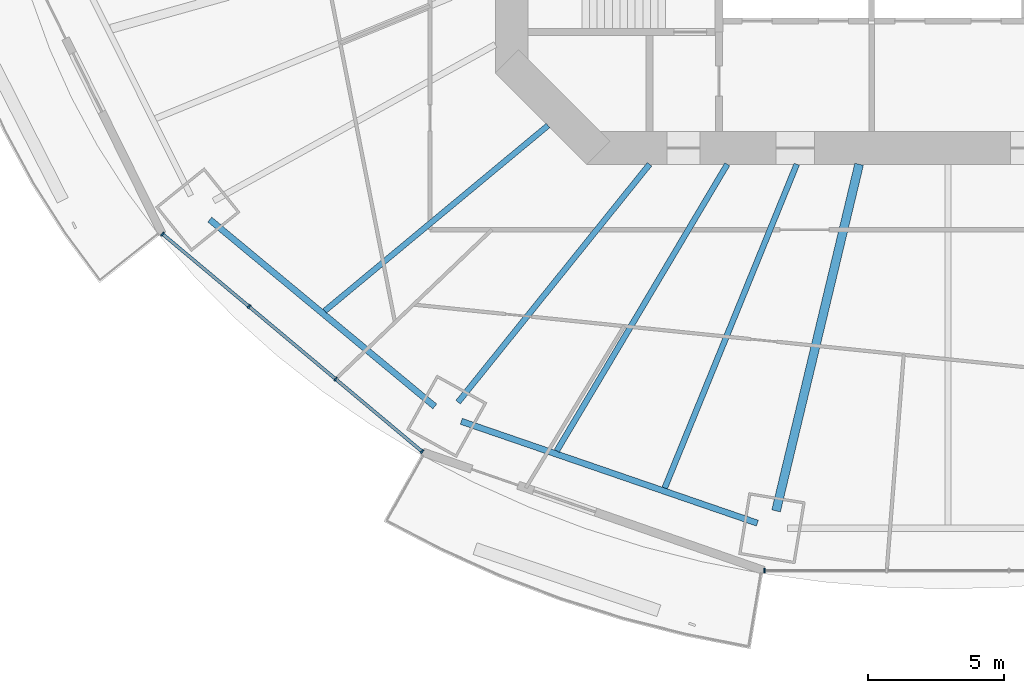
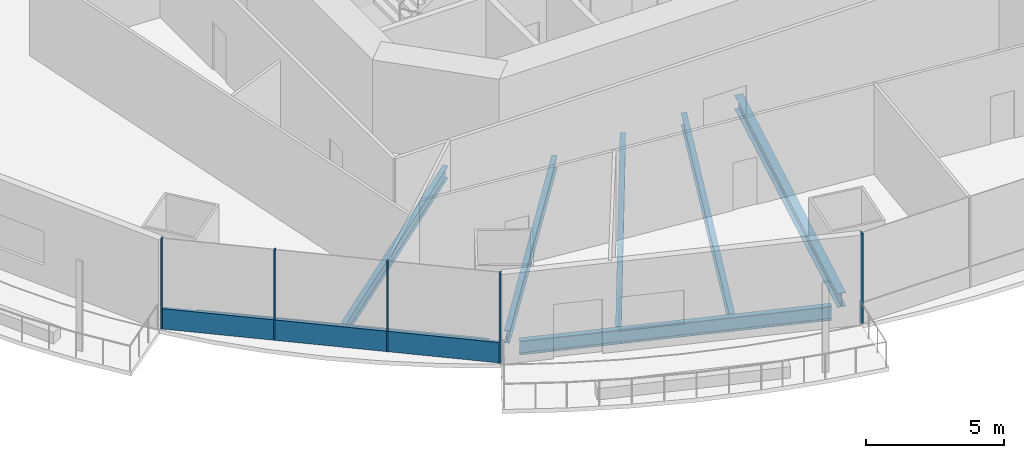
# One storey, part 2 of 22: 7 beams, 6 members, 2 elements without a shape of their own.
"""IFC4 building model written with IfcOpenShell, lengths in metres."""

from ifc_helpers import new_model, si_unit, direction, frame, origin, origin_2d, place, context, subcontext, project, spatial, rectangle, i_section, extrude, material, material_profile, profile_set, type_object, element, aggregate, save


model = new_model("IFC4")

# Units and contexts
model_context = context("Model", 3, precision=1e-05, world=origin(), true_north=direction((0.0, 1.0)))
body_context = subcontext(model_context, "Body", "Model", "MODEL_VIEW")
ifc_project = project(units=[si_unit("LENGTHUNIT", "METRE"), si_unit("AREAUNIT", "SQUARE_METRE"), si_unit("VOLUMEUNIT", "CUBIC_METRE"), si_unit("PLANEANGLEUNIT", "RADIAN"), si_unit("MASSUNIT", "GRAM", prefix="KILO")], contexts=[model_context])

# Site, building, storey
site_placement = place(None, origin())
site = spatial("IfcSite", under=ifc_project, at=site_placement, CompositionType="ELEMENT")
building_placement = place(site_placement, origin())
building = spatial("IfcBuilding", under=site, at=building_placement, Name="Marenthal Gate Tower", CompositionType="ELEMENT")
storey_placement = place(building_placement, frame((0.0, 0.0, 95.25)))
storey = spatial("IfcBuildingStorey", under=building, at=storey_placement, Name="L19", CompositionType="ELEMENT", Elevation=95.25)

# Curtain wall, members
ifc_material_1 = material(Name="Aluminium and glass", Category="aluminium")
curtain_wall_type = type_object("IfcCurtainWallType", Name="Curtain wall typical low", PredefinedType="NOTDEFINED", material=ifc_material_1)
curtain_wall_1_placement = place(storey_placement, origin())
curtain_wall_1 = element("IfcCurtainWall", 1, at=curtain_wall_1_placement, inside=storey, type_object=curtain_wall_type, Name="Curtain wall L19 bay 10", PredefinedType="NOTDEFINED")
ifc_material_2 = material(Name="Aluminium", Category="aluminium")
ifc_material_profile_1 = material_profile(ifc_material_2, rectangle(XDim=0.159912109375, YDim=0.06005859375, at=origin_2d()), Name="60x160 aluminium mullion")
ifc_profile_set_1 = profile_set([ifc_material_profile_1], Name="Aluminium")
member_type_1 = type_object("IfcMemberType", Name="Mullion 60x160 typical low", PredefinedType="MULLION", material=ifc_profile_set_1)
member_1_placement = place(storey_placement, frame((-28.802490234375, -16.16015625, 0.0), z_axis=(0.0, 0.0, 1.0), x_axis=(0.642307658805, 0.766446913648, 0.0)))
member_1 = element("IfcMember", 2, at=member_1_placement, type_object=member_type_1, Name="Mullion L19 bay 10.1", PredefinedType="MULLION", context=body_context, shape_type="SweptSolid", body=[
    extrude(rectangle(XDim=0.159912109375, YDim=0.06005859375, at=origin_2d()), origin(), (0.0, 0.0, 1.0), 3.969970703125),
])
member_2_placement = place(storey_placement, frame((-25.62939453125, -18.8193359375, 0.0), z_axis=(0.0, 0.0, 1.0), x_axis=(0.642307658805, 0.766446913648, 0.0)))
member_2 = element("IfcMember", 3, at=member_2_placement, type_object=member_type_1, Name="Mullion L19 bay 10.2", PredefinedType="MULLION", context=body_context, shape_type="SweptSolid", body=[
    extrude(rectangle(XDim=0.159912109375, YDim=0.06005859375, at=origin_2d()), origin(), (0.0, 0.0, 1.0), 3.969970703125),
])
member_3_placement = place(storey_placement, frame((-22.45654296875, -21.478271484375, 0.0), z_axis=(0.0, 0.0, 1.0), x_axis=(0.642307658805, 0.766446913648, 0.0)))
member_3 = element("IfcMember", 4, at=member_3_placement, type_object=member_type_1, Name="Mullion L19 bay 10.3", PredefinedType="MULLION", context=body_context, shape_type="SweptSolid", body=[
    extrude(rectangle(XDim=0.159912109375, YDim=0.06005859375, at=origin_2d()), origin(), (0.0, 0.0, 1.0), 3.969970703125),
])
member_4_placement = place(storey_placement, frame((-19.283447265625, -24.137451171875, 0.0), z_axis=(0.0, 0.0, 1.0), x_axis=(0.642307658805, 0.766446913648, 0.0)))
member_4 = element("IfcMember", 5, at=member_4_placement, type_object=member_type_1, Name="Mullion L19 bay 10.4", PredefinedType="MULLION", context=body_context, shape_type="SweptSolid", body=[
    extrude(rectangle(XDim=0.159912109375, YDim=0.06005859375, at=origin_2d()), origin(), (0.0, 0.0, 1.0), 3.969970703125),
])

# Curtain wall, member
curtain_wall_2_placement = place(storey_placement, origin())
curtain_wall_2 = element("IfcCurtainWall", 6, at=curtain_wall_2_placement, inside=storey, type_object=curtain_wall_type, Name="Curtain wall L19 bay 12", PredefinedType="NOTDEFINED")
member_5_placement = place(storey_placement, frame((-6.7333984375, -28.494873046875, 0.0), z_axis=(0.0, 0.0, 1.0), x_axis=(0.0, 1.0, 0.0)))
member_5 = element("IfcMember", 7, at=member_5_placement, type_object=member_type_1, Name="Mullion L19 bay 12.1", PredefinedType="MULLION", context=body_context, shape_type="SweptSolid", body=[
    extrude(rectangle(XDim=0.159912109375, YDim=0.06005859375, at=origin_2d()), origin(), (0.0, 0.0, 1.0), 3.969970703125),
])
aggregate(curtain_wall_2, [member_5])

# Member
ifc_material_3 = material(Name="Aluminium", Category="aluminium")
ifc_material_profile_2 = material_profile(ifc_material_3, rectangle(XDim=0.1201171875, YDim=0.89990234375, at=origin_2d()), Name="120x900 aluminium transom")
ifc_profile_set_2 = profile_set([ifc_material_profile_2], Name="Aluminium")
member_type_2 = type_object("IfcMemberType", Name="Transom 120x900 typical low", PredefinedType="USERDEFINED", material=ifc_profile_set_2)
member_6_placement = place(storey_placement, frame((-28.779296875, -16.179443359375, 0.449951171875), z_axis=(0.766442158037, -0.642313333494, 0.0), x_axis=(0.642313333494, 0.766442158037, 0.0)))
member_6 = element("IfcMember", 8, at=member_6_placement, type_object=member_type_2, Name="Transom L19 bay 10", ObjectType="TRANSOM", PredefinedType="USERDEFINED", context=body_context, shape_type="SweptSolid", body=[
    extrude(rectangle(XDim=0.1201171875, YDim=0.89990234375, at=origin_2d()), origin(), (0.0, 0.0, 1.0), 12.359619140625),
])

aggregate(curtain_wall_1, [member_1, member_2, member_3, member_4, member_6])

# Beams
ifc_material_4 = material(Name="Steel S355", Category="steel")
ifc_material_profile_3 = material_profile(ifc_material_4, i_section(OverallWidth=0.2099609375, OverallDepth=0.535888671875, WebThickness=0.010986328125, FlangeThickness=0.017333984375, FilletRadius=0.0126953125, at=origin_2d()), Name="W530X101")
ifc_profile_set_3 = profile_set([ifc_material_profile_3], Name="Steel S355")
beam_type_1 = type_object("IfcBeamType", Name="W530X101 beam", PredefinedType="BEAM", material=ifc_profile_set_3)
beam_1_placement = place(storey_placement, frame((-22.857666015625, -18.978759765625, -0.447998046875), z_axis=(0.769368830907, 0.63880482311, 0.0), x_axis=(-0.63880482311, 0.769368830907, 0.0)))
element("IfcBeam", 9, at=beam_1_placement, inside=storey, type_object=beam_type_1, Name="BM-L19-31", PredefinedType="BEAM", context=body_context, shape_type="SweptSolid", body=[
    extrude(i_section(OverallWidth=0.2099609375, OverallDepth=0.535888671875, WebThickness=0.010986328125, FlangeThickness=0.017333984375, FilletRadius=0.0126953125, at=origin_2d()), origin(), (0.0, 0.0, 1.0), 10.643310546875),
])
ifc_material_5 = material(Name="Steel S355", Category="steel")
ifc_material_profile_4 = material_profile(ifc_material_5, i_section(OverallWidth=0.2119140625, OverallDepth=0.5439453125, WebThickness=0.01318359375, FlangeThickness=0.021240234375, FilletRadius=0.0126953125, at=origin_2d()), Name="W530X123")
ifc_profile_set_4 = profile_set([ifc_material_profile_4], Name="Steel S355")
beam_type_2 = type_object("IfcBeamType", Name="W530X123 beam", PredefinedType="BEAM", material=ifc_profile_set_4)
beam_2_placement = place(storey_placement, frame((-17.964599609375, -22.3232421875, -0.451904296875), z_axis=(0.626952602909, 0.779057400777, 0.0), x_axis=(-0.779057400777, 0.626952602909, 0.0)))
element("IfcBeam", 10, at=beam_2_placement, inside=storey, type_object=beam_type_2, Name="BM-L19-11", PredefinedType="BEAM", context=body_context, shape_type="SweptSolid", body=[
    extrude(i_section(OverallWidth=0.2119140625, OverallDepth=0.5439453125, WebThickness=0.01318359375, FlangeThickness=0.021240234375, FilletRadius=0.0126953125, at=origin_2d()), origin(), (0.0, 0.0, 1.0), 11.197021484375),
])
beam_3_placement = place(storey_placement, frame((-14.346923828125, -24.10986328125, -0.451904296875), z_axis=(0.511368740727, 0.859361397206, 0.0), x_axis=(-0.859361397206, 0.511368740727, 0.0)))
element("IfcBeam", 11, at=beam_3_placement, inside=storey, type_object=beam_type_2, Name="BM-L19-32", PredefinedType="BEAM", context=body_context, shape_type="SweptSolid", body=[
    extrude(i_section(OverallWidth=0.2119140625, OverallDepth=0.5439453125, WebThickness=0.01318359375, FlangeThickness=0.021240234375, FilletRadius=0.0126953125, at=origin_2d()), origin(), (0.0, 0.0, 1.0), 12.229736328125),
])
beam_4_placement = place(storey_placement, frame((-10.3876953125, -25.4716796875, -0.451904296875), z_axis=(0.377613822907, 0.925963174618, 0.0), x_axis=(-0.925963174618, 0.377613822907, 0.0)))
element("IfcBeam", 12, at=beam_4_placement, inside=storey, type_object=beam_type_2, Name="BM-L19-33", PredefinedType="BEAM", context=body_context, shape_type="SweptSolid", body=[
    extrude(i_section(OverallWidth=0.2119140625, OverallDepth=0.5439453125, WebThickness=0.01318359375, FlangeThickness=0.021240234375, FilletRadius=0.0126953125, at=origin_2d()), origin(), (0.0, 0.0, 1.0), 12.82080078125),
])
ifc_material_6 = material(Name="Steel S355", Category="steel")
ifc_material_profile_5 = material_profile(ifc_material_6, i_section(OverallWidth=0.22900390625, OverallDepth=0.612060546875, WebThickness=0.011962890625, FlangeThickness=0.01953125, FilletRadius=0.0126953125, at=origin_2d()), Name="W610X125")
ifc_profile_set_5 = profile_set([ifc_material_profile_5], Name="Steel S355")
beam_type_3 = type_object("IfcBeamType", Name="W610X125 beam", PredefinedType="BEAM", material=ifc_profile_set_5)
beam_5_placement = place(storey_placement, frame((-27.072021484375, -15.628173828125, -0.486083984375), z_axis=(0.769369356562, -0.638804190017, 0.0), x_axis=(0.638804190017, 0.769369356562, 0.0)))
element("IfcBeam", 13, at=beam_5_placement, inside=storey, type_object=beam_type_3, Name="BM-L19-50", PredefinedType="BEAM", context=body_context, shape_type="SweptSolid", body=[
    extrude(i_section(OverallWidth=0.22900390625, OverallDepth=0.612060546875, WebThickness=0.011962890625, FlangeThickness=0.01953125, FilletRadius=0.0126953125, at=origin_2d()), origin(), (0.0, 0.0, 1.0), 10.7255859375),
])
beam_6_placement = place(storey_placement, frame((-17.84716796875, -23.027099609375, -0.486083984375), z_axis=(0.945633885285, -0.325233077963, 0.0), x_axis=(0.325233077963, 0.945633885285, 0.0)))
element("IfcBeam", 14, at=beam_6_placement, inside=storey, type_object=beam_type_3, Name="BM-L19-51", PredefinedType="BEAM", context=body_context, shape_type="SweptSolid", body=[
    extrude(i_section(OverallWidth=0.22900390625, OverallDepth=0.612060546875, WebThickness=0.011962890625, FlangeThickness=0.01953125, FilletRadius=0.0126953125, at=origin_2d()), origin(), (0.0, 0.0, 1.0), 11.482177734375),
])
ifc_material_7 = material(Name="Steel S355", Category="steel")
ifc_material_profile_6 = material_profile(ifc_material_7, i_section(OverallWidth=0.324951171875, OverallDepth=0.612060546875, WebThickness=0.0126953125, FlangeThickness=0.01904296875, FilletRadius=0.0126953125, at=origin_2d()), Name="W610X155")
ifc_profile_set_6 = profile_set([ifc_material_profile_6], Name="Steel S355")
beam_type_4 = type_object("IfcBeamType", Name="W610X155 beam", PredefinedType="BEAM", material=ifc_profile_set_6)
beam_7_placement = place(storey_placement, frame((-6.302978515625, -26.31005859375, -0.486083984375), z_axis=(0.232977289633, 0.972482175937, 0.0), x_axis=(-0.972482175937, 0.232977289633, 0.0)))
element("IfcBeam", 15, at=beam_7_placement, inside=storey, type_object=beam_type_4, Name="BM-L19-12", PredefinedType="BEAM", context=body_context, shape_type="SweptSolid", body=[
    extrude(i_section(OverallWidth=0.324951171875, OverallDepth=0.612060546875, WebThickness=0.0126953125, FlangeThickness=0.01904296875, FilletRadius=0.0126953125, at=origin_2d()), origin(), (0.0, 0.0, 1.0), 13.069580078125),
])

save(model, "model.ifc")
